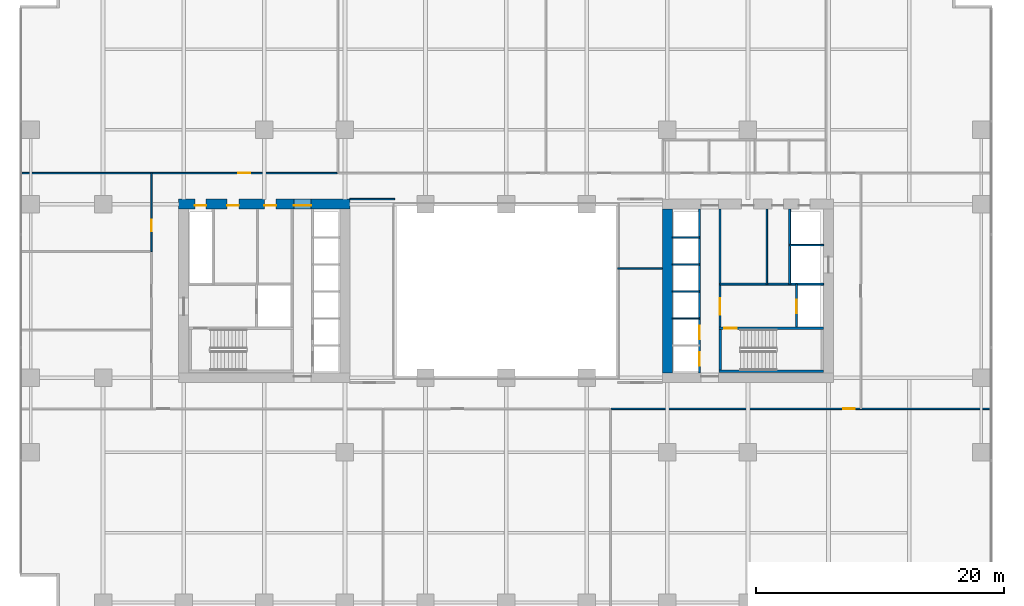
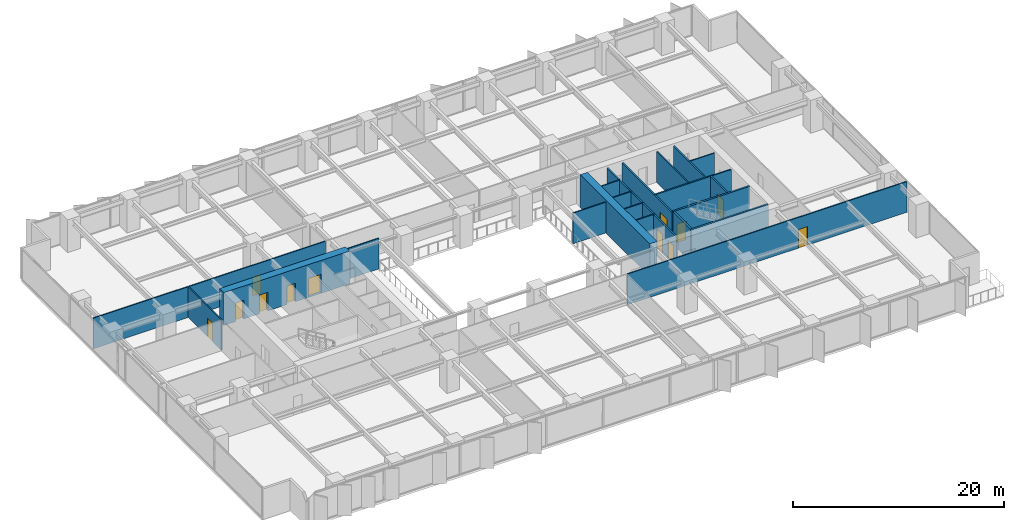
# One storey, part 14 of 20: 21 walls, 12 doors, 12 openings.
"""IFC4 building model written with IfcOpenShell, lengths in metres."""

from ifc_helpers import new_model, si_unit, direction, frame, frame_2d, origin, place, context, subcontext, project, spatial, rectangle, extrude, material, layer, layer_set, type_object, element, fill, save


model = new_model("IFC4")

# Units and contexts
model_context = context("Model", 3, precision=1e-05, world=origin(), true_north=direction((0.0, 1.0)))
body_context = subcontext(model_context, "Body", "Model", "MODEL_VIEW")
ifc_project = project(units=[si_unit("LENGTHUNIT", "METRE"), si_unit("AREAUNIT", "SQUARE_METRE"), si_unit("VOLUMEUNIT", "CUBIC_METRE"), si_unit("PLANEANGLEUNIT", "RADIAN"), si_unit("MASSUNIT", "GRAM", prefix="KILO")], contexts=[model_context])

# Site, building, storey
site_placement = place(None, origin())
site = spatial("IfcSite", under=ifc_project, at=site_placement, CompositionType="ELEMENT")
building_placement = place(site_placement, origin())
building = spatial("IfcBuilding", under=site, at=building_placement, Name="Putna Gate Headquarters", CompositionType="ELEMENT")
storey_placement = place(building_placement, frame((0.0, 0.0, 54.39990234375)))
storey = spatial("IfcBuildingStorey", under=building, at=storey_placement, Name="L12", CompositionType="ELEMENT", Elevation=54.39990234375)

# Wall, openings, doors
ifc_material_1 = material(Name="Concrete C60/75", Category="concrete")
ifc_layer_1 = layer(ifc_material_1, 0.800048828125)
ifc_layer_set_1 = layer_set([ifc_layer_1], Name="Concrete C60/75")
wall_type_1 = type_object("IfcWallType", Name="WALL-CORE-800", PredefinedType="SHEAR", material=ifc_layer_set_1)
wall_1_placement = place(storey_placement, frame((12.60009765625, 33.0, 0.0), z_axis=(0.0, 0.0, 1.0), x_axis=(1.0, 0.0, 0.0)))
wall_1 = element("IfcWall", 1, at=wall_1_placement, inside=storey, type_object=wall_type_1, Name="L12 WC Split Core Shear Wall N", PredefinedType="SHEAR", context=body_context, shape_type="SweptSolid", body=[
    extrude(rectangle(XDim=13.7998046875, YDim=0.800048828125, at=frame_2d((6.89990234375, 0.0))), origin(), (0.0, 0.0, 1.0), 3.800048828125),
])
opening_1_placement = place(wall_1_placement, frame((1.300048828125, 0.0, 0.0)))
opening_1 = element("IfcOpeningElement", 2, at=opening_1_placement, cuts=wall_1, Name="Opening RD-90", PredefinedType="OPENING", context=body_context, shape_type="SweptSolid", body=[
    extrude(rectangle(XDim=0.89990234375, YDim=2.14990234375, at=frame_2d((0.449951171875, 1.074951171875))), frame((0.0, 0.409912109375, 0.0), z_axis=(0.0, -1.0, 0.0), x_axis=(1.0, 0.0, 0.0)), (0.0, 0.0, 1.0), 0.820068359375),
])
opening_2_placement = place(wall_1_placement, frame((3.89990234375, 0.0, 0.0)))
opening_2 = element("IfcOpeningElement", 3, at=opening_2_placement, cuts=wall_1, Name="Opening IDS-95", PredefinedType="OPENING", context=body_context, shape_type="SweptSolid", body=[
    extrude(rectangle(XDim=0.949951171875, YDim=2.14990234375, at=frame_2d((0.47509765625, 1.074951171875))), frame((0.0, 0.409912109375, 0.0), z_axis=(0.0, -1.0, 0.0), x_axis=(1.0, 0.0, 0.0)), (0.0, 0.0, 1.0), 0.820068359375),
])
opening_3_placement = place(wall_1_placement, frame((6.89990234375, 0.0, 0.0)))
opening_3 = element("IfcOpeningElement", 4, at=opening_3_placement, cuts=wall_1, Name="Opening IDS-95", PredefinedType="OPENING", context=body_context, shape_type="SweptSolid", body=[
    extrude(rectangle(XDim=0.949951171875, YDim=2.14990234375, at=frame_2d((0.47509765625, 1.074951171875))), frame((0.0, 0.409912109375, 0.0), z_axis=(0.0, -1.0, 0.0), x_axis=(1.0, 0.0, 0.0)), (0.0, 0.0, 1.0), 0.820068359375),
])
opening_4_placement = place(wall_1_placement, frame((9.280029296875, 0.0, 0.0)))
opening_4 = element("IfcOpeningElement", 5, at=opening_4_placement, cuts=wall_1, Name="Opening FDD-140", PredefinedType="OPENING", context=body_context, shape_type="SweptSolid", body=[
    extrude(rectangle(XDim=1.39990234375, YDim=2.199951171875, at=frame_2d((0.699951171875, 1.10009765625))), frame((0.0, 0.409912109375, 0.0), z_axis=(0.0, -1.0, 0.0), x_axis=(1.0, 0.0, 0.0)), (0.0, 0.0, 1.0), 0.820068359375),
])
ifc_material_2 = material(Name="Double steel fire door", Category="steel")
door_type_1 = type_object("IfcDoorType", Name="DOOR-FIRE-DBL-1400", OperationType="DOUBLE_DOOR_SINGLE_SWING", PredefinedType="DOOR", material=ifc_material_2)
door_1_placement = place(opening_4_placement, origin())
door_1 = element("IfcDoor", 6, at=door_1_placement, inside=storey, type_object=door_type_1, Name="L12 West Lift Lobby North Door", OperationType="DOUBLE_DOOR_SINGLE_SWING", OverallHeight=2.199951171875, OverallWidth=1.39990234375, PredefinedType="DOOR", context=body_context, shape_type="SweptSolid", body=[
    extrude(rectangle(XDim=1.39990234375, YDim=2.199951171875, at=frame_2d((0.699951171875, 1.10009765625))), frame((0.0, -0.0751953125, 0.0), z_axis=(0.0, -1.0, 0.0), x_axis=(1.0, 0.0, 0.0)), (0.0, 0.0, 1.0), 0.050048828125),
])
fill(opening_4, door_1)
ifc_material_3 = material(Name="Fire-rated service timber door", Category="wood")
door_type_2 = type_object("IfcDoorType", Name="DOOR-INT-950", OperationType="NOTDEFINED", PredefinedType="DOOR", material=ifc_material_3)
door_2_placement = place(opening_2_placement, origin())
door_2 = element("IfcDoor", 7, at=door_2_placement, inside=storey, type_object=door_type_2, Name="L12 Cleaner Store Door", OperationType="SINGLE_SWING_LEFT", OverallHeight=2.14990234375, OverallWidth=0.949951171875, PredefinedType="DOOR", context=body_context, shape_type="SweptSolid", body=[
    extrude(rectangle(XDim=0.949951171875, YDim=2.14990234375, at=frame_2d((0.47509765625, 1.074951171875))), frame((0.0, -0.0751953125, 0.0), z_axis=(0.0, -1.0, 0.0), x_axis=(1.0, 0.0, 0.0)), (0.0, 0.0, 1.0), 0.050048828125),
])
fill(opening_2, door_2)
door_3_placement = place(opening_3_placement, origin())
door_3 = element("IfcDoor", 8, at=door_3_placement, inside=storey, type_object=door_type_2, Name="L12 Comms Plant Door", OperationType="SINGLE_SWING_RIGHT", OverallHeight=2.14990234375, OverallWidth=0.949951171875, PredefinedType="DOOR", context=body_context, shape_type="SweptSolid", body=[
    extrude(rectangle(XDim=0.949951171875, YDim=2.14990234375, at=frame_2d((0.47509765625, 1.074951171875))), frame((0.0, -0.0751953125, 0.0), z_axis=(0.0, -1.0, 0.0), x_axis=(1.0, 0.0, 0.0)), (0.0, 0.0, 1.0), 0.050048828125),
])
fill(opening_3, door_3)
ifc_material_4 = material(Name="Steel riser access fire door", Category="steel")
door_type_3 = type_object("IfcDoorType", Name="DOOR-RISER-900", OperationType="NOTDEFINED", PredefinedType="DOOR", material=ifc_material_4)
door_4_placement = place(opening_1_placement, origin())
door_4 = element("IfcDoor", 9, at=door_4_placement, inside=storey, type_object=door_type_3, Name="L12 West Riser Access Door", OperationType="SINGLE_SWING_RIGHT", OverallHeight=2.14990234375, OverallWidth=0.89990234375, PredefinedType="DOOR", context=body_context, shape_type="SweptSolid", body=[
    extrude(rectangle(XDim=0.89990234375, YDim=2.14990234375, at=frame_2d((0.449951171875, 1.074951171875))), frame((0.0, -0.0751953125, 0.0), z_axis=(0.0, -1.0, 0.0), x_axis=(1.0, 0.0, 0.0)), (0.0, 0.0, 1.0), 0.050048828125),
])
fill(opening_1, door_4)

# Walls
wall_2_placement = place(storey_placement, frame((52.0, 19.39990234375, 0.0), z_axis=(0.0, 0.0, 1.0), x_axis=(0.0, 1.0, 0.0)))
element("IfcWall", 10, at=wall_2_placement, inside=storey, type_object=wall_type_1, Name="L12 EC Split Core Shear Wall W", PredefinedType="SHEAR", context=body_context, shape_type="SweptSolid", body=[
    extrude(rectangle(XDim=13.2001953125, YDim=0.800048828125, at=frame_2d((6.60009765625, 0.0))), origin(), (0.0, 0.0, 1.0), 3.800048828125),
])
ifc_material_5 = material(Name="Acoustic gypsum board on metal stud")
ifc_layer_2 = layer(ifc_material_5, 0.1201171875)
ifc_layer_set_2 = layer_set([ifc_layer_2], Name="Acoustic gypsum board on metal stud")
wall_type_2 = type_object("IfcWallType", Name="WALL-PART-120", PredefinedType="PARTITIONING", material=ifc_layer_set_2)
for number, where, z_axis, x_axis, name in (
    (11, (26.39990234375, 33.39990234375, 0.0), (0.0, 0.0, 1.0), (1.0, 0.0, 0.0), "L12 Interior Wall PART-L12-ATR-W-N"),
    (12, (48.0, 27.800048828125, 0.0), (0.0, 0.0, 1.0), (1.0, 0.0, 0.0), "L12 Interior Wall PART-L12-ATR-E-DIV"),
):
    element("IfcWall", number, at=place(storey_placement, frame(where, z_axis=z_axis, x_axis=x_axis)), inside=storey, type_object=wall_type_2, Name=name, PredefinedType="PARTITIONING", context=body_context, shape_type="SweptSolid", body=[
        extrude(rectangle(XDim=3.60009765625, YDim=0.1201171875, at=frame_2d((1.800048828125, 0.0))), origin(), (0.0, 0.0, 1.0), 3.550048828125),
    ])
ifc_material_6 = material(Name="Fire-rated shaftwall gypsum board on metal stud")
ifc_layer_3 = layer(ifc_material_6, 0.1201171875)
ifc_layer_set_3 = layer_set([ifc_layer_3], Name="Fire-rated shaftwall gypsum board on metal stud")
wall_type_3 = type_object("IfcWallType", Name="WALL-PART-120-EI120", PredefinedType="PARTITIONING", material=ifc_layer_set_3)
for number, where, z_axis, x_axis, name in (
    (13, (52.39990234375, 23.780029296875, 0.0), (0.0, 0.0, 1.0), (1.0, 0.0, 0.0), "L12 Interior Wall CWINT-L12-EC-LF04-DIV"),
    (14, (52.39990234375, 25.949951171875, 0.0), (0.0, 0.0, 1.0), (1.0, 0.0, 0.0), "L12 Interior Wall CWINT-L12-EC-LF07-DIV"),
    (15, (52.39990234375, 28.1201171875, 0.0), (0.0, 0.0, 1.0), (1.0, 0.0, 0.0), "L12 Interior Wall CWINT-L12-EC-LF08-DIV"),
    (16, (52.39990234375, 30.31005859375, 0.0), (0.0, 0.0, 1.0), (1.0, 0.0, 0.0), "L12 Interior Wall CWINT-L12-EC-LF11-DIV"),
):
    element("IfcWall", number, at=place(storey_placement, frame(where, z_axis=z_axis, x_axis=x_axis)), inside=storey, type_object=wall_type_3, Name=name, PredefinedType="PARTITIONING", context=body_context, shape_type="SweptSolid", body=[
        extrude(rectangle(XDim=2.2001953125, YDim=0.1201171875, at=frame_2d((1.10009765625, 0.0))), origin(), (0.0, 0.0, 1.0), 3.550048828125),
    ])
wall_3_placement = place(storey_placement, frame((61.8701171875, 29.699951171875, 0.0), z_axis=(0.0, 0.0, 1.0), x_axis=(1.0, 0.0, 0.0)))
element("IfcWall", 17, at=wall_3_placement, inside=storey, type_object=wall_type_3, Name="L12 Interior Wall CWINT-L12-EC-LF15-N", PredefinedType="PARTITIONING", context=body_context, shape_type="SweptSolid", body=[
    extrude(rectangle(XDim=2.72998046875, YDim=0.1201171875, at=frame_2d((1.364990234375, 0.0))), origin(), (0.0, 0.0, 1.0), 3.550048828125),
])
ifc_material_7 = material(Name="Fire-rated gypsum board on metal stud")
ifc_layer_4 = layer(ifc_material_7, 0.1201171875)
ifc_layer_set_4 = layer_set([ifc_layer_4], Name="Fire-rated gypsum board on metal stud")
wall_type_4 = type_object("IfcWallType", Name="WALL-PART-120-RATED", PredefinedType="PARTITIONING", material=ifc_layer_set_4)
wall_4_placement = place(storey_placement, frame((60.02001953125, 26.56005859375, 0.0), z_axis=(0.0, 0.0, 1.0), x_axis=(0.0, 1.0, 0.0)))
element("IfcWall", 18, at=wall_4_placement, inside=storey, type_object=wall_type_4, Name="L12 Interior Wall CWINT-L12-EC-K0-DIV", PredefinedType="PARTITIONING", context=body_context, shape_type="SweptSolid", body=[
    extrude(rectangle(XDim=6.0400390625, YDim=0.1201171875, at=frame_2d((3.02001953125, 0.0))), origin(), (0.0, 0.0, 1.0), 3.550048828125),
])

# Wall, opening, door
wall_5_placement = place(storey_placement, frame((-0.02001953125, 35.5, 0.0), z_axis=(0.0, 0.0, 1.0), x_axis=(1.0, 0.0, 0.0)))
wall_5 = element("IfcWall", 19, at=wall_5_placement, inside=storey, type_object=wall_type_4, Name="L12 Interior Wall PART-L12-NB-CW-01", PredefinedType="PARTITIONING", context=body_context, shape_type="SweptSolid", body=[
    extrude(rectangle(XDim=25.396240234375, YDim=0.1201171875, at=frame_2d((12.6982421875, 0.0))), origin(), (0.0, 0.0, 1.0), 3.550048828125),
])
opening_5_placement = place(wall_5_placement, frame((17.43310546875, 0.0, 0.0)))
opening_5 = element("IfcOpeningElement", 20, at=opening_5_placement, cuts=wall_5, Name="Opening FD-95", PredefinedType="OPENING", context=body_context, shape_type="SweptSolid", body=[
    extrude(rectangle(XDim=0.949951171875, YDim=2.14990234375, at=frame_2d((0.47509765625, 1.074951171875))), frame((0.0, 0.070068359375, 0.0), z_axis=(0.0, -1.0, 0.0), x_axis=(1.0, 0.0, 0.0)), (0.0, 0.0, 1.0), 0.14013671875),
])
ifc_material_8 = material(Name="Acoustic timber fire door", Category="wood")
door_type_4 = type_object("IfcDoorType", Name="DOOR-FIRE-950", OperationType="NOTDEFINED", PredefinedType="DOOR", material=ifc_material_8)
door_5_placement = place(opening_5_placement, origin())
door_5 = element("IfcDoor", 21, at=door_5_placement, inside=storey, type_object=door_type_4, Name="L12 Cellular Office 1 Door", OperationType="SINGLE_SWING_RIGHT", OverallHeight=2.14990234375, OverallWidth=0.949951171875, PredefinedType="DOOR", context=body_context, shape_type="SweptSolid", body=[
    extrude(rectangle(XDim=0.949951171875, YDim=2.14990234375, at=frame_2d((0.47509765625, 1.074951171875))), frame((0.0, 0.02490234375, 0.0), z_axis=(0.0, -1.0, 0.0), x_axis=(1.0, 0.0, 0.0)), (0.0, 0.0, 1.0), 0.050048828125),
])
fill(opening_5, door_5)

wall_6_placement = place(storey_placement, frame((47.46484375, 16.5, 0.0), z_axis=(0.0, 0.0, 1.0), x_axis=(1.0, 0.0, 0.0)))
wall_6 = element("IfcWall", 22, at=wall_6_placement, inside=storey, type_object=wall_type_4, Name="L12 Interior Wall PART-L12-SB-CW-03", PredefinedType="PARTITIONING", context=body_context, shape_type="SweptSolid", body=[
    extrude(rectangle(XDim=30.55517578125, YDim=0.1201171875, at=frame_2d((15.277587890625, 0.0))), origin(), (0.0, 0.0, 1.0), 3.550048828125),
])
opening_6_placement = place(wall_6_placement, frame((18.705078125, 0.0, 0.0)))
opening_6 = element("IfcOpeningElement", 23, at=opening_6_placement, cuts=wall_6, Name="Opening FD-95", PredefinedType="OPENING", context=body_context, shape_type="SweptSolid", body=[
    extrude(rectangle(XDim=0.949951171875, YDim=2.14990234375, at=frame_2d((0.47509765625, 1.074951171875))), frame((0.0, 0.070068359375, 0.0), z_axis=(0.0, -1.0, 0.0), x_axis=(1.0, 0.0, 0.0)), (0.0, 0.0, 1.0), 0.14013671875),
])
door_6_placement = place(opening_6_placement, origin())
door_6 = element("IfcDoor", 24, at=door_6_placement, inside=storey, type_object=door_type_4, Name="L12 Conference Meeting Room 2 Door", OperationType="SINGLE_SWING_RIGHT", OverallHeight=2.14990234375, OverallWidth=0.949951171875, PredefinedType="DOOR", context=body_context, shape_type="SweptSolid", body=[
    extrude(rectangle(XDim=0.949951171875, YDim=2.14990234375, at=frame_2d((0.47509765625, 1.074951171875))), frame((0.0, 0.02490234375, 0.0), z_axis=(0.0, -1.0, 0.0), x_axis=(1.0, 0.0, 0.0)), (0.0, 0.0, 1.0), 0.050048828125),
])
fill(opening_6, door_6)

wall_7_placement = place(storey_placement, frame((10.39990234375, 29.166748046875, 0.0), z_axis=(0.0, 0.0, 1.0), x_axis=(0.0, 1.0, 0.0)))
wall_7 = element("IfcWall", 25, at=wall_7_placement, inside=storey, type_object=wall_type_4, Name="L12 Interior Wall PART-L12-WW-CW-3", PredefinedType="PARTITIONING", context=body_context, shape_type="SweptSolid", body=[
    extrude(rectangle(XDim=6.333251953125, YDim=0.1201171875, at=frame_2d((3.16650390625, 0.0))), origin(), (0.0, 0.0, 1.0), 3.550048828125),
])
opening_7_placement = place(wall_7_placement, frame((1.6416015625, 0.0, 0.0)))
opening_7 = element("IfcOpeningElement", 26, at=opening_7_placement, cuts=wall_7, Name="Opening FD-95", PredefinedType="OPENING", context=body_context, shape_type="SweptSolid", body=[
    extrude(rectangle(XDim=0.949951171875, YDim=2.14990234375, at=frame_2d((0.47509765625, 1.074951171875))), frame((0.0, 0.070068359375, 0.0), z_axis=(0.0, -1.0, 0.0), x_axis=(1.0, 0.0, 0.0)), (0.0, 0.0, 1.0), 0.14013671875),
])
door_7_placement = place(opening_7_placement, origin())
door_7 = element("IfcDoor", 27, at=door_7_placement, inside=storey, type_object=door_type_4, Name="L12 West Project Meeting Room 3 Door", OperationType="SINGLE_SWING_LEFT", OverallHeight=2.14990234375, OverallWidth=0.949951171875, PredefinedType="DOOR", context=body_context, shape_type="SweptSolid", body=[
    extrude(rectangle(XDim=0.949951171875, YDim=2.14990234375, at=frame_2d((0.47509765625, 1.074951171875))), frame((0.0, 0.02490234375, 0.0), z_axis=(0.0, -1.0, 0.0), x_axis=(1.0, 0.0, 0.0)), (0.0, 0.0, 1.0), 0.050048828125),
])
fill(opening_7, door_7)

# Wall, openings, doors
ifc_material_9 = material(Name="Concrete C40/50", Category="concrete")
ifc_layer_5 = layer(ifc_material_9, 0.159912109375)
ifc_layer_set_5 = layer_set([ifc_layer_5], Name="Concrete C40/50")
wall_type_5 = type_object("IfcWallType", Name="WALL-SHAFT-160", PredefinedType="STANDARD", material=ifc_layer_set_5)
wall_8_placement = place(storey_placement, frame((54.60009765625, 19.39990234375, 0.0), z_axis=(0.0, 0.0, 1.0), x_axis=(0.0, 1.0, 0.0)))
wall_8 = element("IfcWall", 28, at=wall_8_placement, inside=storey, type_object=wall_type_5, Name="L12 Interior Wall CWINT-L12-EC-PL-WALL", PredefinedType="STANDARD", context=body_context, shape_type="SweptSolid", body=[
    extrude(rectangle(XDim=13.2001953125, YDim=0.159912109375, at=frame_2d((6.60009765625, 0.0))), origin(), (0.0, 0.0, 1.0), 3.550048828125),
])
opening_8_placement = place(wall_8_placement, frame((0.550048828125, 0.0, 0.0)))
opening_8 = element("IfcOpeningElement", 29, at=opening_8_placement, cuts=wall_8, Name="Opening LD-1", PredefinedType="OPENING", context=body_context, shape_type="SweptSolid", body=[
    extrude(rectangle(XDim=1.10009765625, YDim=2.199951171875, at=frame_2d((0.550048828125, 1.10009765625))), frame((0.0, 0.08984375, 0.0), z_axis=(0.0, -1.0, 0.0), x_axis=(1.0, 0.0, 0.0)), (0.0, 0.0, 1.0), 0.179931640625),
])
opening_9_placement = place(wall_8_placement, frame((2.699951171875, 0.0, 0.0)))
opening_9 = element("IfcOpeningElement", 30, at=opening_9_placement, cuts=wall_8, Name="Opening LD-1", PredefinedType="OPENING", context=body_context, shape_type="SweptSolid", body=[
    extrude(rectangle(XDim=1.10009765625, YDim=2.199951171875, at=frame_2d((0.550048828125, 1.10009765625))), frame((0.0, 0.08984375, 0.0), z_axis=(0.0, -1.0, 0.0), x_axis=(1.0, 0.0, 0.0)), (0.0, 0.0, 1.0), 0.179931640625),
])
ifc_material_10 = material(Name="Brushed bronze stainless lift landing door")
door_type_5 = type_object("IfcDoorType", Name="DOOR-LIFT-1100", OperationType="DOUBLE_DOOR_SLIDING", PredefinedType="DOOR", material=ifc_material_10)
door_8_placement = place(opening_8_placement, origin())
door_8 = element("IfcDoor", 31, at=door_8_placement, inside=storey, type_object=door_type_5, Name="L12 Lift Landing Door LD-03", OperationType="DOUBLE_DOOR_SLIDING", OverallHeight=2.199951171875, OverallWidth=1.10009765625, PredefinedType="DOOR", context=body_context, shape_type="SweptSolid", body=[
    extrude(rectangle(XDim=1.10009765625, YDim=2.199951171875, at=frame_2d((0.550048828125, 1.10009765625))), frame((0.0, 0.02490234375, 0.0), z_axis=(0.0, -1.0, 0.0), x_axis=(1.0, 0.0, 0.0)), (0.0, 0.0, 1.0), 0.050048828125),
])
fill(opening_8, door_8)
door_9_placement = place(opening_9_placement, origin())
door_9 = element("IfcDoor", 32, at=door_9_placement, inside=storey, type_object=door_type_5, Name="L12 Lift Landing Door LD-04", OperationType="DOUBLE_DOOR_SLIDING", OverallHeight=2.199951171875, OverallWidth=1.10009765625, PredefinedType="DOOR", context=body_context, shape_type="SweptSolid", body=[
    extrude(rectangle(XDim=1.10009765625, YDim=2.199951171875, at=frame_2d((0.550048828125, 1.10009765625))), frame((0.0, 0.02490234375, 0.0), z_axis=(0.0, -1.0, 0.0), x_axis=(1.0, 0.0, 0.0)), (0.0, 0.0, 1.0), 0.050048828125),
])
fill(opening_9, door_9)

# Wall, opening, door
wall_9_placement = place(storey_placement, frame((56.260009765625, 23.090087890625, 0.0), z_axis=(0.0, 0.0, 1.0), x_axis=(0.0, 1.0, 0.0)))
wall_9 = element("IfcWall", 33, at=wall_9_placement, inside=storey, type_object=wall_type_5, Name="L12 Interior Wall CWINT-L12-EC-LOB-E", PredefinedType="STANDARD", context=body_context, shape_type="SweptSolid", body=[
    extrude(rectangle(XDim=9.510009765625, YDim=0.159912109375, at=frame_2d((4.7548828125, 0.0))), origin(), (0.0, 0.0, 1.0), 3.550048828125),
])
opening_10_placement = place(wall_9_placement, frame((1.010009765625, 0.0, 0.0)))
opening_10 = element("IfcOpeningElement", 34, at=opening_10_placement, cuts=wall_9, Name="Opening FDD-130", PredefinedType="OPENING", context=body_context, shape_type="SweptSolid", body=[
    extrude(rectangle(XDim=1.300048828125, YDim=2.199951171875, at=frame_2d((0.64990234375, 1.10009765625))), frame((0.0, 0.08984375, 0.0), z_axis=(0.0, -1.0, 0.0), x_axis=(1.0, 0.0, 0.0)), (0.0, 0.0, 1.0), 0.179931640625),
])
ifc_material_11 = material(Name="Double steel lobby fire door", Category="steel")
door_type_6 = type_object("IfcDoorType", Name="DOOR-FIRE-DBL-1300", OperationType="DOUBLE_DOOR_SINGLE_SWING", PredefinedType="DOOR", material=ifc_material_11)
door_10_placement = place(opening_10_placement, origin())
door_10 = element("IfcDoor", 35, at=door_10_placement, inside=storey, type_object=door_type_6, Name="L12 East Firefighting Lobby Door", OperationType="DOUBLE_DOOR_SINGLE_SWING", OverallHeight=2.199951171875, OverallWidth=1.300048828125, PredefinedType="DOOR", context=body_context, shape_type="SweptSolid", body=[
    extrude(rectangle(XDim=1.300048828125, YDim=2.199951171875, at=frame_2d((0.64990234375, 1.10009765625))), frame((0.0, 0.02490234375, 0.0), z_axis=(0.0, -1.0, 0.0), x_axis=(1.0, 0.0, 0.0)), (0.0, 0.0, 1.0), 0.050048828125),
])
fill(opening_10, door_10)

wall_10_placement = place(storey_placement, frame((62.429931640625, 23.090087890625, 0.0), z_axis=(0.0, 0.0, 1.0), x_axis=(0.0, 1.0, 0.0)))
wall_10 = element("IfcWall", 36, at=wall_10_placement, inside=storey, type_object=wall_type_5, Name="L12 Interior Wall CWINT-L12-EC-LF14-W", PredefinedType="STANDARD", context=body_context, shape_type="SweptSolid", body=[
    extrude(rectangle(XDim=3.469970703125, YDim=0.159912109375, at=frame_2d((1.73486328125, 0.0))), origin(), (0.0, 0.0, 1.0), 3.550048828125),
])
opening_11_placement = place(wall_10_placement, frame((1.10009765625, 0.0, 0.0)))
opening_11 = element("IfcOpeningElement", 37, at=opening_11_placement, cuts=wall_10, Name="Opening LD-1", PredefinedType="OPENING", context=body_context, shape_type="SweptSolid", body=[
    extrude(rectangle(XDim=1.10009765625, YDim=2.199951171875, at=frame_2d((0.550048828125, 1.10009765625))), frame((0.0, 0.08984375, 0.0), z_axis=(0.0, -1.0, 0.0), x_axis=(1.0, 0.0, 0.0)), (0.0, 0.0, 1.0), 0.179931640625),
])
door_11_placement = place(opening_11_placement, origin())
door_11 = element("IfcDoor", 38, at=door_11_placement, inside=storey, type_object=door_type_5, Name="L12 Lift Landing Door LD-14", OperationType="DOUBLE_DOOR_SLIDING", OverallHeight=2.199951171875, OverallWidth=1.10009765625, PredefinedType="DOOR", context=body_context, shape_type="SweptSolid", body=[
    extrude(rectangle(XDim=1.10009765625, YDim=2.199951171875, at=frame_2d((0.550048828125, 1.10009765625))), frame((0.0, 0.02490234375, 0.0), z_axis=(0.0, -1.0, 0.0), x_axis=(1.0, 0.0, 0.0)), (0.0, 0.0, 1.0), 0.050048828125),
])
fill(opening_11, door_11)

# Walls
wall_11_placement = place(storey_placement, frame((56.260009765625, 26.56005859375, 0.0), z_axis=(0.0, 0.0, 1.0), x_axis=(1.0, 0.0, 0.0)))
element("IfcWall", 39, at=wall_11_placement, inside=storey, type_object=wall_type_5, Name="L12 Interior Wall CWINT-L12-EC-FFL-N", PredefinedType="STANDARD", context=body_context, shape_type="SweptSolid", body=[
    extrude(rectangle(XDim=8.340087890625, YDim=0.159912109375, at=frame_2d((4.169921875, 0.0))), origin(), (0.0, 0.0, 1.0), 3.550048828125),
])
wall_12_placement = place(storey_placement, frame((61.8701171875, 26.56005859375, 0.0), z_axis=(0.0, 0.0, 1.0), x_axis=(0.0, 1.0, 0.0)))
element("IfcWall", 40, at=wall_12_placement, inside=storey, type_object=wall_type_5, Name="L12 Interior Wall CWINT-L12-EC-LF15-W", PredefinedType="STANDARD", context=body_context, shape_type="SweptSolid", body=[
    extrude(rectangle(XDim=6.0400390625, YDim=0.159912109375, at=frame_2d((3.02001953125, 0.0))), origin(), (0.0, 0.0, 1.0), 3.550048828125),
])
ifc_layer_6 = layer(ifc_material_9, 0.199951171875)
ifc_layer_set_6 = layer_set([ifc_layer_6], Name="Concrete C40/50")
wall_type_6 = type_object("IfcWallType", Name="WALL-SHAFT-RC200", PredefinedType="SHEAR", material=ifc_layer_set_6)
wall_13_placement = place(storey_placement, frame((56.159912109375, 19.510009765625, 0.0), z_axis=(0.0, 0.0, 1.0), x_axis=(1.0, 0.0, 0.0)))
element("IfcWall", 41, at=wall_13_placement, inside=storey, type_object=wall_type_6, Name="L12 Stair ST2 Structural Shaft Wall S", PredefinedType="SHEAR", context=body_context, shape_type="SweptSolid", body=[
    extrude(rectangle(XDim=8.43017578125, YDim=0.199951171875, at=frame_2d((4.215087890625, 0.0))), origin(), (0.0, 0.0, 1.0), 3.800048828125),
])

# Wall, opening, door
wall_14_placement = place(storey_placement, frame((56.159912109375, 22.989990234375, 0.0), z_axis=(0.0, 0.0, 1.0), x_axis=(1.0, 0.0, 0.0)))
wall_14 = element("IfcWall", 42, at=wall_14_placement, inside=storey, type_object=wall_type_6, Name="L12 Stair ST2 Structural Shaft Wall N", PredefinedType="SHEAR", context=body_context, shape_type="SweptSolid", body=[
    extrude(rectangle(XDim=8.43017578125, YDim=0.199951171875, at=frame_2d((4.215087890625, 0.0))), origin(), (0.0, 0.0, 1.0), 3.800048828125),
])
opening_12_placement = place(wall_14_placement, frame((0.449951171875, 0.0, 0.0)))
opening_12 = element("IfcOpeningElement", 43, at=opening_12_placement, cuts=wall_14, Name="Opening FD-100", PredefinedType="OPENING", context=body_context, shape_type="SweptSolid", body=[
    extrude(rectangle(XDim=1.0, YDim=2.14990234375, at=frame_2d((0.5, 1.074951171875))), frame((0.0, 0.10986328125, 0.0), z_axis=(0.0, -1.0, 0.0), x_axis=(1.0, 0.0, 0.0)), (0.0, 0.0, 1.0), 0.219970703125),
])
ifc_material_12 = material(Name="Powder-coated steel fire door", Category="steel")
door_type_7 = type_object("IfcDoorType", Name="DOOR-FIRE-1000", OperationType="NOTDEFINED", PredefinedType="DOOR", material=ifc_material_12)
door_12_placement = place(opening_12_placement, origin())
door_12 = element("IfcDoor", 44, at=door_12_placement, inside=storey, type_object=door_type_7, Name="L12 Stair ST2 Fire Door", OperationType="SINGLE_SWING_RIGHT", OverallHeight=2.14990234375, OverallWidth=1.0, PredefinedType="DOOR", context=body_context, shape_type="SweptSolid", body=[
    extrude(rectangle(XDim=1.0, YDim=2.14990234375, at=frame_2d((0.5, 1.074951171875))), frame((0.0, 0.02490234375, 0.0), z_axis=(0.0, -1.0, 0.0), x_axis=(1.0, 0.0, 0.0)), (0.0, 0.0, 1.0), 0.050048828125),
])
fill(opening_12, door_12)

# Wall
wall_15_placement = place(storey_placement, frame((56.260009765625, 19.610107421875, 0.0), z_axis=(0.0, 0.0, 1.0), x_axis=(0.0, 1.0, 0.0)))
element("IfcWall", 45, at=wall_15_placement, inside=storey, type_object=wall_type_6, Name="L12 Stair ST2 Structural Shaft Wall W", PredefinedType="SHEAR", context=body_context, shape_type="SweptSolid", body=[
    extrude(rectangle(XDim=3.27978515625, YDim=0.199951171875, at=frame_2d((1.639892578125, 0.0))), origin(), (0.0, 0.0, 1.0), 3.800048828125),
])

save(model, "model.ifc")
